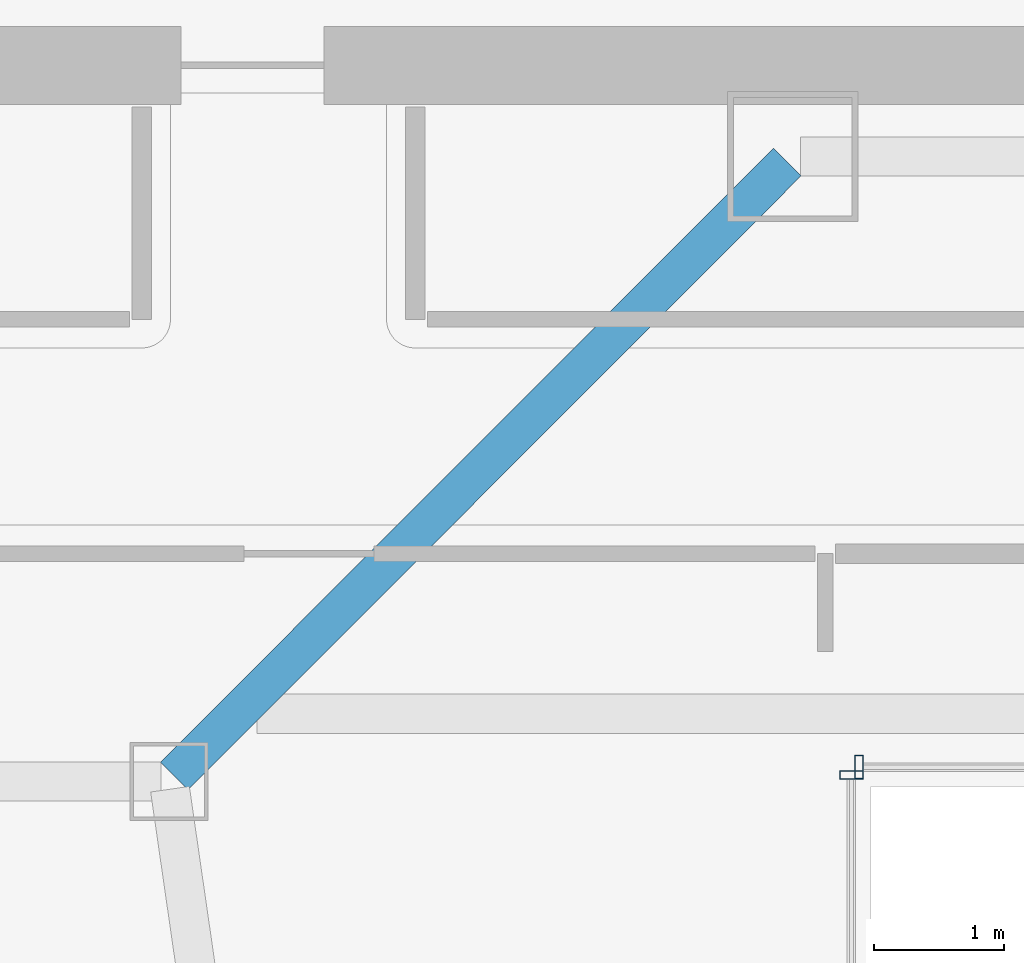
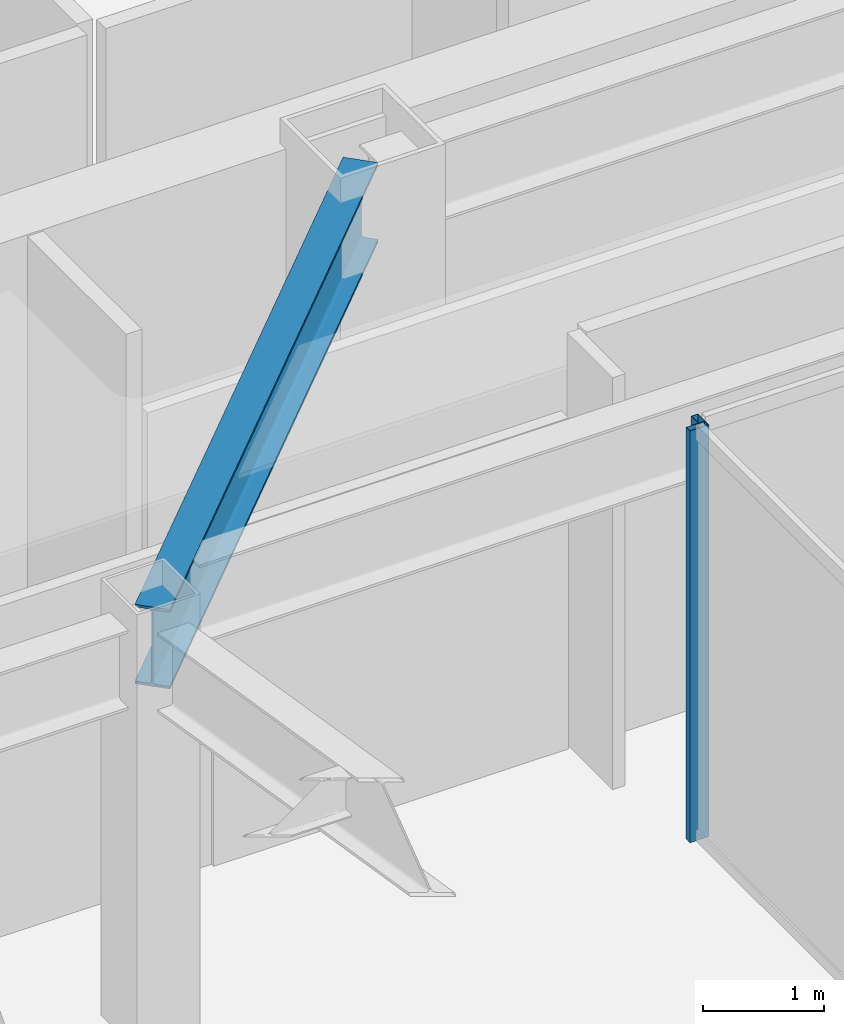
# One storey, part 16 of 35: 2 members, 1 beam, 2 elements without a shape of their own.
"""IFC4 building model written with IfcOpenShell, lengths in metres."""

from ifc_helpers import new_model, si_unit, direction, frame, origin, origin_2d, place, context, subcontext, project, spatial, hollow_rectangle, i_section, extrude, material, material_profile, profile_set, type_object, element, aggregate, save


model = new_model("IFC4")

# Units and contexts
model_context = context("Model", 3, precision=1e-05, world=origin(), true_north=direction((0.0, 1.0)))
body_context = subcontext(model_context, "Body", "Model", "MODEL_VIEW")
ifc_project = project(units=[si_unit("LENGTHUNIT", "METRE"), si_unit("AREAUNIT", "SQUARE_METRE"), si_unit("VOLUMEUNIT", "CUBIC_METRE"), si_unit("PLANEANGLEUNIT", "RADIAN"), si_unit("MASSUNIT", "GRAM", prefix="KILO")], contexts=[model_context])

# Site, building, storey
site_placement = place(None, origin())
site = spatial("IfcSite", under=ifc_project, at=site_placement, CompositionType="ELEMENT")
building_placement = place(site_placement, origin())
building = spatial("IfcBuilding", under=site, at=building_placement, Name="Saevonmaru Cultural Tower", CompositionType="ELEMENT")
storey_placement = place(building_placement, frame((0.0, 0.0, 101.60009765625)))
storey = spatial("IfcBuildingStorey", under=building, at=storey_placement, Name="L21", CompositionType="ELEMENT", Elevation=101.60009765625)

# Beam
ifc_material_1 = material(Name="Steel SM420", Category="steel")
ifc_material_profile_1 = material_profile(ifc_material_1, i_section(OverallWidth=0.300048828125, OverallDepth=0.800048828125, WebThickness=0.013916015625, FlangeThickness=0.02587890625, FilletRadius=0.028076171875, at=origin_2d()), Name="H-800x300x14x26")
ifc_profile_set_1 = profile_set([ifc_material_profile_1], Name="Steel SM420")
beam_type = type_object("IfcBeamType", Name="BM-G-H800", PredefinedType="BEAM", material=ifc_profile_set_1)
beam_placement = place(storey_placement, frame((18.850341796875, 37.642578125, 3.75), z_axis=(0.706538566564, 0.707674539572, 0.0), x_axis=(-0.707674539572, 0.706538566564, 0.0)))
element("IfcBeam", 1, at=beam_placement, inside=storey, type_object=beam_type, Name="L21 West Atrium Girder 5", PredefinedType="BEAM", context=body_context, shape_type="SweptSolid", body=[
    extrude(i_section(OverallWidth=0.300048828125, OverallDepth=0.800048828125, WebThickness=0.013916015625, FlangeThickness=0.02587890625, FilletRadius=0.028076171875, at=origin_2d()), origin(), (0.0, 0.0, 1.0), 6.662353515625),
])

# Curtain wall, member
ifc_material_2 = material(Name="Satin Bronze Anodised Aluminium", Category="aluminium")
curtain_wall_type = type_object("IfcCurtainWallType", Name="CW-ATR-GLZ", PredefinedType="NOTDEFINED", material=ifc_material_2)
curtain_wall_1_placement = place(storey_placement, origin())
curtain_wall_1 = element("IfcCurtainWall", 2, at=curtain_wall_1_placement, inside=storey, type_object=curtain_wall_type, Name="L21 Vertical Atrium Glazed Smoke Screen 3", PredefinedType="NOTDEFINED")
ifc_material_profile_2 = material_profile(ifc_material_2, hollow_rectangle(XDim=0.06494140625, YDim=0.179931640625, WallThickness=0.00390625, at=origin_2d()), Name="ALU-MULL-180x65x4")
ifc_profile_set_2 = profile_set([ifc_material_profile_2], Name="Satin Bronze Anodised Aluminium")
member_type = type_object("IfcMemberType", Name="ML-CW-INT-180x65", PredefinedType="MULLION", material=ifc_profile_set_2)
member_1_placement = place(storey_placement, frame((24.110107421875, 37.7099609375, 0.0), z_axis=(0.0, 0.0, 1.0), x_axis=(-1.0, 0.0, 0.0)))
member_1 = element("IfcMember", 3, at=member_1_placement, type_object=member_type, Name="CW-ATR-L21-3 mullion 2", PredefinedType="MULLION", context=body_context, shape_type="SweptSolid", body=[
    extrude(hollow_rectangle(XDim=0.06494140625, YDim=0.179931640625, WallThickness=0.00390625, at=origin_2d()), origin(), (0.0, 0.0, 1.0), 4.14990234375),
])
aggregate(curtain_wall_1, [member_1])

curtain_wall_2_placement = place(storey_placement, origin())
curtain_wall_2 = element("IfcCurtainWall", 4, at=curtain_wall_2_placement, inside=storey, type_object=curtain_wall_type, Name="L21 Vertical Atrium Glazed Smoke Screen 4", PredefinedType="NOTDEFINED")
member_2_placement = place(storey_placement, frame((24.050048828125, 37.64990234375, 0.0), z_axis=(0.0, 0.0, 1.0), x_axis=(0.0, -1.0, 0.0)))
member_2 = element("IfcMember", 5, at=member_2_placement, type_object=member_type, Name="CW-ATR-L21-4 mullion 1", PredefinedType="MULLION", context=body_context, shape_type="SweptSolid", body=[
    extrude(hollow_rectangle(XDim=0.06494140625, YDim=0.179931640625, WallThickness=0.00390625, at=origin_2d()), origin(), (0.0, 0.0, 1.0), 4.14990234375),
])
aggregate(curtain_wall_2, [member_2])

save(model, "model.ifc")
